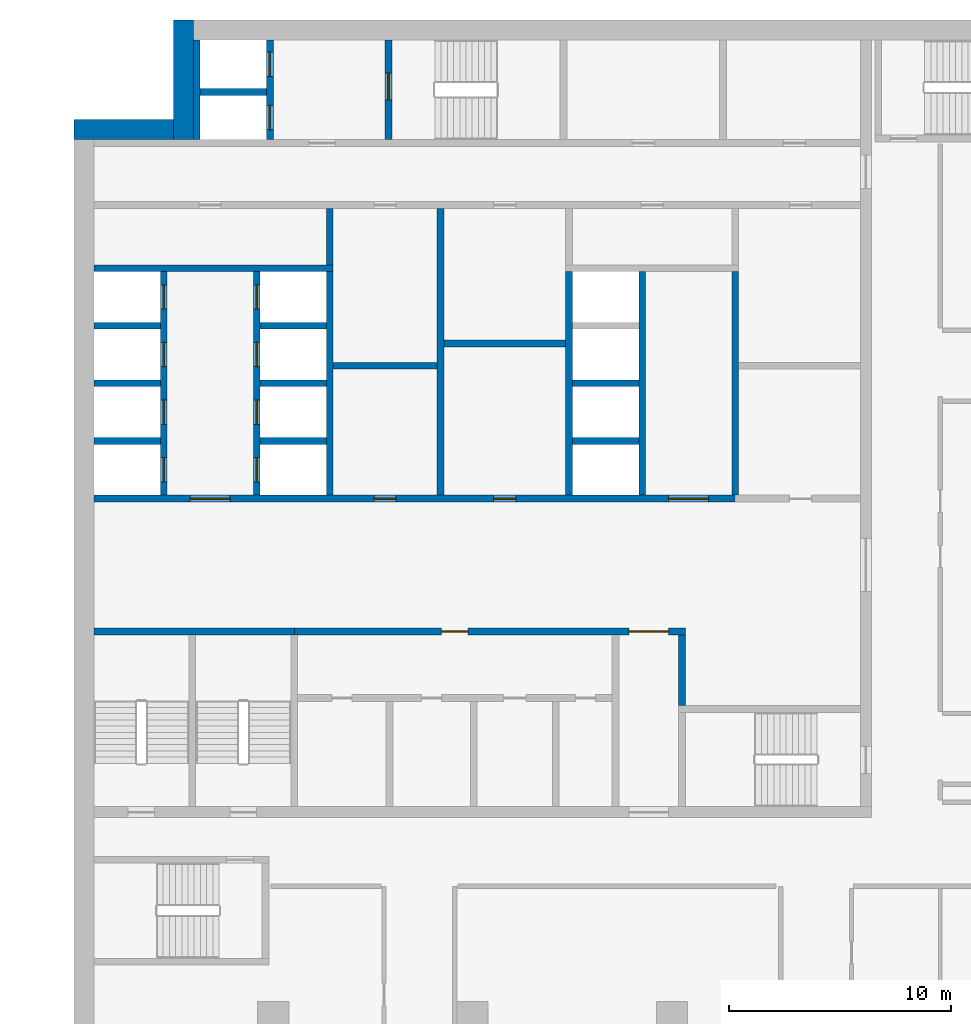
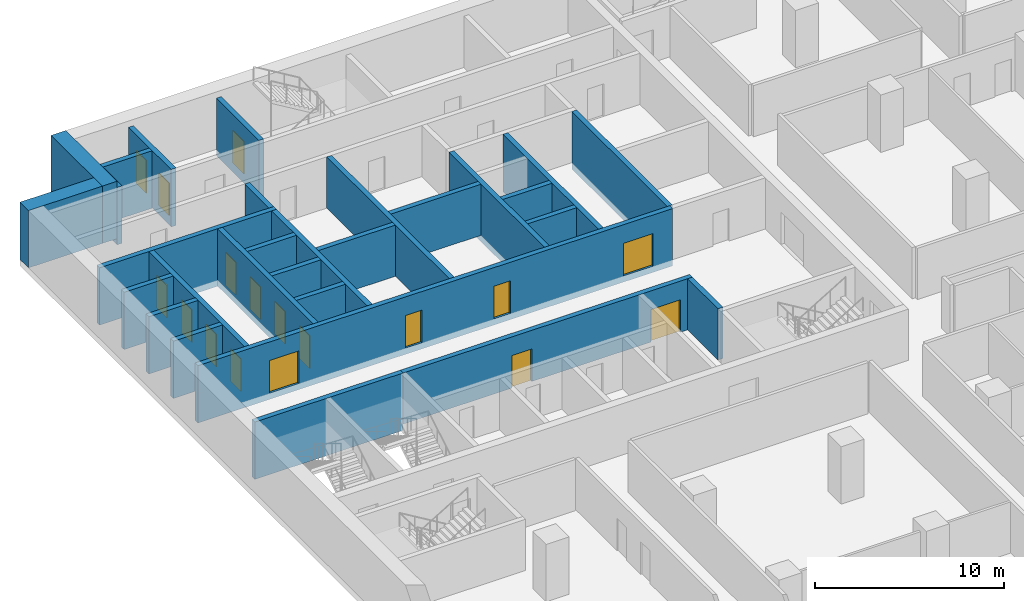
# One storey, part 14 of 28: 29 walls, 17 doors, 17 openings.
"""IFC4 building model written with IfcOpenShell, lengths in metres."""

from ifc_helpers import new_model, si_unit, direction, frame, frame_2d, origin, place, context, subcontext, project, spatial, rectangle, extrude, material, layer, layer_set, type_object, element, fill, save


model = new_model("IFC4")

# Units and contexts
model_context = context("Model", 3, precision=1e-05, world=origin(), true_north=direction((0.0, 1.0)))
body_context = subcontext(model_context, "Body", "Model", "MODEL_VIEW")
ifc_project = project(units=[si_unit("LENGTHUNIT", "METRE"), si_unit("AREAUNIT", "SQUARE_METRE"), si_unit("VOLUMEUNIT", "CUBIC_METRE"), si_unit("PLANEANGLEUNIT", "RADIAN"), si_unit("MASSUNIT", "GRAM", prefix="KILO")], contexts=[model_context])

# Site, building, storey
site_placement = place(None, origin())
site = spatial("IfcSite", under=ifc_project, at=site_placement, CompositionType="ELEMENT")
building_placement = place(site_placement, origin())
building = spatial("IfcBuilding", under=site, at=building_placement, Name="Hunhe Ridgeline Campus", CompositionType="ELEMENT")
storey_placement = place(building_placement, frame((0.0, 0.0, 35.800048828125)))
storey = spatial("IfcBuildingStorey", under=building, at=storey_placement, Name="L07", CompositionType="ELEMENT", Elevation=35.800048828125)

# Wall, openings, doors
ifc_material_1 = material(Name="Masonry concrete blockwork", Category="masonry")
ifc_layer_1 = layer(ifc_material_1, 0.300048828125)
ifc_layer_set_1 = layer_set([ifc_layer_1], Name="Core room partition 300 concrete block")
wall_type_1 = type_object("IfcWallType", Name="Core room partition 300 concrete block", PredefinedType="PARTITIONING", material=ifc_layer_set_1)
wall_1_placement = place(storey_placement, frame((9.949951171875, 71.39990234375, 0.0), z_axis=(0.0, 0.0, 1.0), x_axis=(1.0, 0.0, 0.0)))
wall_1 = element("IfcWall", 1, at=wall_1_placement, inside=storey, type_object=wall_type_1, Name="L07 core partition 13", PredefinedType="PARTITIONING", context=body_context, shape_type="SweptSolid", body=[
    extrude(rectangle(XDim=17.650146484375, YDim=0.300048828125, at=frame_2d((8.8251953125, 0.0))), origin(), (0.0, 0.0, 1.0), 3.300048828125),
])
opening_1_placement = place(wall_1_placement, frame((15.10009765625, 0.0, 0.0)))
opening_1 = element("IfcOpeningElement", 2, at=opening_1_placement, cuts=wall_1, Name="Opening CD7", PredefinedType="OPENING", context=body_context, shape_type="SweptSolid", body=[
    extrude(rectangle(XDim=1.800048828125, YDim=2.10009765625, at=frame_2d((0.89990234375, 1.050048828125))), frame((0.0, 0.14990234375, 0.0), z_axis=(0.0, -1.0, 0.0), x_axis=(1.0, 0.0, 0.0)), (0.0, 0.0, 1.0), 0.300048828125),
])
opening_2_placement = place(wall_1_placement, frame((6.64990234375, 0.0, 0.0)))
opening_2 = element("IfcOpeningElement", 3, at=opening_2_placement, cuts=wall_1, Name="Opening CD37", PredefinedType="OPENING", context=body_context, shape_type="SweptSolid", body=[
    extrude(rectangle(XDim=1.199951171875, YDim=2.10009765625, at=frame_2d((0.60009765625, 1.050048828125))), frame((0.0, 0.14990234375, 0.0), z_axis=(0.0, -1.0, 0.0), x_axis=(1.0, 0.0, 0.0)), (0.0, 0.0, 1.0), 0.300048828125),
])
ifc_material_2 = material(Name="Anodised aluminium and glass", Category="aluminium")
door_type_1 = type_object("IfcDoorType", Name="Glazed double door 1800x2100", OperationType="DOUBLE_DOOR_SINGLE_SWING", PredefinedType="DOOR", material=ifc_material_2)
door_1_placement = place(opening_1_placement, origin())
door_1 = element("IfcDoor", 4, at=door_1_placement, inside=storey, type_object=door_type_1, Name="L07 door VEST-HALL", OperationType="DOUBLE_DOOR_SINGLE_SWING", OverallHeight=2.10009765625, OverallWidth=1.800048828125, PredefinedType="DOOR", context=body_context, shape_type="SweptSolid", body=[
    extrude(rectangle(XDim=1.800048828125, YDim=2.10009765625, at=frame_2d((0.89990234375, 1.050048828125))), frame((0.0, 0.02490234375, 0.0), z_axis=(0.0, -1.0, 0.0), x_axis=(1.0, 0.0, 0.0)), (0.0, 0.0, 1.0), 0.050048828125),
])
fill(opening_1, door_1)
ifc_material_3 = material(Name="Solid core timber door leaf", Category="wood")
door_type_2 = type_object("IfcDoorType", Name="Timber door 1200x2100", OperationType="SINGLE_SWING_LEFT", PredefinedType="DOOR", material=ifc_material_3)
door_2_placement = place(opening_2_placement, origin())
door_2 = element("IfcDoor", 5, at=door_2_placement, inside=storey, type_object=door_type_2, Name="L07 door WCL1-HALL", OperationType="SINGLE_SWING_LEFT", OverallHeight=2.10009765625, OverallWidth=1.199951171875, PredefinedType="DOOR", context=body_context, shape_type="SweptSolid", body=[
    extrude(rectangle(XDim=1.199951171875, YDim=2.10009765625, at=frame_2d((0.60009765625, 1.050048828125))), frame((0.0, 0.02490234375, 0.0), z_axis=(0.0, -1.0, 0.0), x_axis=(1.0, 0.0, 0.0)), (0.0, 0.0, 1.0), 0.050048828125),
])
fill(opening_2, door_2)

# Walls
wall_2_placement = place(storey_placement, frame((11.699951171875, 83.39990234375, 0.0), z_axis=(0.0, 0.0, 1.0), x_axis=(1.0, 0.0, 0.0)))
element("IfcWall", 6, at=wall_2_placement, inside=storey, type_object=wall_type_1, Name="L07 core partition 22", PredefinedType="PARTITIONING", context=body_context, shape_type="SweptSolid", body=[
    extrude(rectangle(XDim=4.699951171875, YDim=0.300048828125, at=frame_2d((2.35009765625, 0.0))), origin(), (0.0, 0.0, 1.0), 3.300048828125),
])
wall_3_placement = place(storey_placement, frame((16.699951171875, 84.39990234375, 0.0), z_axis=(0.0, 0.0, 1.0), x_axis=(1.0, 0.0, 0.0)))
element("IfcWall", 7, at=wall_3_placement, inside=storey, type_object=wall_type_1, Name="L07 core partition 24", PredefinedType="PARTITIONING", context=body_context, shape_type="SweptSolid", body=[
    extrude(rectangle(XDim=5.5, YDim=0.300048828125, at=frame_2d((2.75, 0.0))), origin(), (0.0, 0.0, 1.0), 3.300048828125),
])
wall_4_placement = place(storey_placement, frame((11.550048828125, 87.949951171875, 0.0), z_axis=(0.0, 0.0, 1.0), x_axis=(0.0, 1.0, 0.0)))
element("IfcWall", 8, at=wall_4_placement, inside=storey, type_object=wall_type_1, Name="L07 core partition 46", PredefinedType="PARTITIONING", context=body_context, shape_type="SweptSolid", body=[
    extrude(rectangle(XDim=2.550048828125, YDim=0.300048828125, at=frame_2d((1.27490234375, 0.0))), origin(), (0.0, 0.0, 1.0), 3.300048828125),
])
wall_5_placement = place(storey_placement, frame((16.550048828125, 77.550048828125, 0.0), z_axis=(0.0, 0.0, 1.0), x_axis=(0.0, 1.0, 0.0)))
element("IfcWall", 9, at=wall_5_placement, inside=storey, type_object=wall_type_1, Name="L07 core partition 49", PredefinedType="PARTITIONING", context=body_context, shape_type="SweptSolid", body=[
    extrude(rectangle(XDim=12.949951171875, YDim=0.300048828125, at=frame_2d((6.47509765625, 0.0))), origin(), (0.0, 0.0, 1.0), 3.300048828125),
])
wall_6_placement = place(storey_placement, frame((27.449951171875, 68.050048828125, 0.0), z_axis=(0.0, 0.0, 1.0), x_axis=(0.0, 1.0, 0.0)))
element("IfcWall", 10, at=wall_6_placement, inside=storey, type_object=wall_type_1, Name="L07 core partition 60", PredefinedType="PARTITIONING", context=body_context, shape_type="SweptSolid", body=[
    extrude(rectangle(XDim=3.199951171875, YDim=0.300048828125, at=frame_2d((1.60009765625, 0.0))), origin(), (0.0, 0.0, 1.0), 3.300048828125),
])
ifc_material_4 = material(Name="Concrete C80", Category="concrete")
ifc_layer_2 = layer(ifc_material_4, 0.300048828125)
ifc_layer_set_2 = layer_set([ifc_layer_2], Name="Lobby wall 300 reinforced concrete C80")
wall_type_2 = type_object("IfcWallType", Name="Lobby wall 300 reinforced concrete C80", PredefinedType="SOLIDWALL", material=ifc_layer_set_2)
wall_7_placement = place(storey_placement, frame((29.85009765625, 77.550048828125, -0.400146484375), z_axis=(0.0, 0.0, 1.0), x_axis=(0.0, 1.0, 0.0)))
element("IfcWall", 11, at=wall_7_placement, inside=storey, type_object=wall_type_2, Name="L07 core wall 62", PredefinedType="SOLIDWALL", context=body_context, shape_type="SweptSolid", body=[
    extrude(rectangle(XDim=10.099853515625, YDim=0.300048828125, at=frame_2d((5.0498046875, 0.0))), origin(), (0.0, 0.0, 1.0), 3.7001953125),
])

# Wall, openings, doors
ifc_layer_3 = layer(ifc_material_4, 0.300048828125)
ifc_layer_set_3 = layer_set([ifc_layer_3], Name="Shaft wall 300 reinforced concrete C80")
wall_type_3 = type_object("IfcWallType", Name="Shaft wall 300 reinforced concrete C80", PredefinedType="SOLIDWALL", material=ifc_layer_set_3)
wall_8_placement = place(storey_placement, frame((0.89990234375, 77.39990234375, -0.400146484375), z_axis=(0.0, 0.0, 1.0), x_axis=(1.0, 0.0, 0.0)))
wall_8 = element("IfcWall", 12, at=wall_8_placement, inside=storey, type_object=wall_type_3, Name="L07 core wall 14", PredefinedType="SOLIDWALL", context=body_context, shape_type="SweptSolid", body=[
    extrude(rectangle(XDim=28.9501953125, YDim=0.300048828125, at=frame_2d((14.47509765625, 0.0))), origin(), (0.0, 0.0, 1.0), 3.7001953125),
])
opening_3_placement = place(wall_8_placement, frame((4.35009765625, 0.0, 0.39990234375)))
opening_3 = element("IfcOpeningElement", 13, at=opening_3_placement, cuts=wall_8, Name="Opening CD1", PredefinedType="OPENING", context=body_context, shape_type="SweptSolid", body=[
    extrude(rectangle(XDim=1.800048828125, YDim=2.10009765625, at=frame_2d((0.89990234375, 1.050048828125))), frame((0.0, 0.14990234375, 0.0), z_axis=(0.0, -1.0, 0.0), x_axis=(1.0, 0.0, 0.0)), (0.0, 0.0, 1.0), 0.300048828125),
])
opening_4_placement = place(wall_8_placement, frame((25.949951171875, 0.0, 0.39990234375)))
opening_4 = element("IfcOpeningElement", 14, at=opening_4_placement, cuts=wall_8, Name="Opening CD2", PredefinedType="OPENING", context=body_context, shape_type="SweptSolid", body=[
    extrude(rectangle(XDim=1.800048828125, YDim=2.10009765625, at=frame_2d((0.89990234375, 1.050048828125))), frame((0.0, 0.14990234375, 0.0), z_axis=(0.0, -1.0, 0.0), x_axis=(1.0, 0.0, 0.0)), (0.0, 0.0, 1.0), 0.300048828125),
])
opening_5_placement = place(wall_8_placement, frame((12.64990234375, 0.0, 0.39990234375)))
opening_5 = element("IfcOpeningElement", 15, at=opening_5_placement, cuts=wall_8, Name="Opening CD28", PredefinedType="OPENING", context=body_context, shape_type="SweptSolid", body=[
    extrude(rectangle(XDim=1.0, YDim=2.10009765625, at=frame_2d((0.5, 1.050048828125))), frame((0.0, 0.14990234375, 0.0), z_axis=(0.0, -1.0, 0.0), x_axis=(1.0, 0.0, 0.0)), (0.0, 0.0, 1.0), 0.300048828125),
])
opening_6_placement = place(wall_8_placement, frame((18.050048828125, 0.0, 0.39990234375)))
opening_6 = element("IfcOpeningElement", 16, at=opening_6_placement, cuts=wall_8, Name="Opening CD30", PredefinedType="OPENING", context=body_context, shape_type="SweptSolid", body=[
    extrude(rectangle(XDim=1.0, YDim=2.10009765625, at=frame_2d((0.5, 1.050048828125))), frame((0.0, 0.14990234375, 0.0), z_axis=(0.0, -1.0, 0.0), x_axis=(1.0, 0.0, 0.0)), (0.0, 0.0, 1.0), 0.300048828125),
])
ifc_material_5 = material(Name="Hollow metal fire door leaf")
door_type_3 = type_object("IfcDoorType", Name="Lobby door 1800x2100 FD60", OperationType="SINGLE_SWING_LEFT", PredefinedType="DOOR", material=ifc_material_5)
door_3_placement = place(opening_3_placement, frame((1.800048828125, 0.0, 0.0), z_axis=(0.0, 0.0, 1.0), x_axis=(-1.0, 0.0, 0.0)))
door_3 = element("IfcDoor", 17, at=door_3_placement, inside=storey, type_object=door_type_3, Name="L07 door LOB-LR", OperationType="SINGLE_SWING_RIGHT", OverallHeight=2.10009765625, OverallWidth=1.800048828125, PredefinedType="DOOR", context=body_context, shape_type="SweptSolid", body=[
    extrude(rectangle(XDim=1.800048828125, YDim=2.10009765625, at=frame_2d((0.89990234375, 1.050048828125))), frame((0.0, 0.02490234375, 0.0), z_axis=(0.0, -1.0, 0.0), x_axis=(1.0, 0.0, 0.0)), (0.0, 0.0, 1.0), 0.050048828125),
])
fill(opening_3, door_3)
door_4_placement = place(opening_4_placement, frame((1.800048828125, 0.0, 0.0), z_axis=(0.0, 0.0, 1.0), x_axis=(-1.0, 0.0, 0.0)))
door_4 = element("IfcDoor", 18, at=door_4_placement, inside=storey, type_object=door_type_3, Name="L07 door LOB-SH", OperationType="SINGLE_SWING_LEFT", OverallHeight=2.10009765625, OverallWidth=1.800048828125, PredefinedType="DOOR", context=body_context, shape_type="SweptSolid", body=[
    extrude(rectangle(XDim=1.800048828125, YDim=2.10009765625, at=frame_2d((0.89990234375, 1.050048828125))), frame((0.0, 0.02490234375, 0.0), z_axis=(0.0, -1.0, 0.0), x_axis=(1.0, 0.0, 0.0)), (0.0, 0.0, 1.0), 0.050048828125),
])
fill(opening_4, door_4)
door_type_4 = type_object("IfcDoorType", Name="Timber door 1000x2100", OperationType="SINGLE_SWING_LEFT", PredefinedType="DOOR", material=ifc_material_3)
door_5_placement = place(opening_5_placement, origin())
door_5 = element("IfcDoor", 19, at=door_5_placement, inside=storey, type_object=door_type_4, Name="L07 door VD-HR0", OperationType="SINGLE_SWING_LEFT", OverallHeight=2.10009765625, OverallWidth=1.0, PredefinedType="DOOR", context=body_context, shape_type="SweptSolid", body=[
    extrude(rectangle(XDim=1.0, YDim=2.10009765625, at=frame_2d((0.5, 1.050048828125))), frame((0.0, 0.02490234375, 0.0), z_axis=(0.0, -1.0, 0.0), x_axis=(1.0, 0.0, 0.0)), (0.0, 0.0, 1.0), 0.050048828125),
])
fill(opening_5, door_5)
door_6_placement = place(opening_6_placement, origin())
door_6 = element("IfcDoor", 20, at=door_6_placement, inside=storey, type_object=door_type_4, Name="L07 door VD-HR2", OperationType="SINGLE_SWING_LEFT", OverallHeight=2.10009765625, OverallWidth=1.0, PredefinedType="DOOR", context=body_context, shape_type="SweptSolid", body=[
    extrude(rectangle(XDim=1.0, YDim=2.10009765625, at=frame_2d((0.5, 1.050048828125))), frame((0.0, 0.02490234375, 0.0), z_axis=(0.0, -1.0, 0.0), x_axis=(1.0, 0.0, 0.0)), (0.0, 0.0, 1.0), 0.050048828125),
])
fill(opening_6, door_6)

# Walls
for number, where, z_axis, x_axis, name in (
    (21, (0.89990234375, 80.0, -0.400146484375), (0.0, 0.0, 1.0), (1.0, 0.0, 0.0), "L07 core wall 16"),
    (22, (8.39990234375, 80.0, -0.400146484375), (0.0, 0.0, 1.0), (1.0, 0.0, 0.0), "L07 core wall 17"),
    (23, (22.5, 80.0, -0.400146484375), (0.0, 0.0, 1.0), (1.0, 0.0, 0.0), "L07 core wall 18"),
    (24, (0.89990234375, 82.60009765625, -0.400146484375), (0.0, 0.0, 1.0), (1.0, 0.0, 0.0), "L07 core wall 19"),
    (25, (8.39990234375, 82.60009765625, -0.400146484375), (0.0, 0.0, 1.0), (1.0, 0.0, 0.0), "L07 core wall 20"),
    (26, (22.5, 82.60009765625, -0.400146484375), (0.0, 0.0, 1.0), (1.0, 0.0, 0.0), "L07 core wall 21"),
    (27, (0.89990234375, 85.199951171875, -0.400146484375), (0.0, 0.0, 1.0), (1.0, 0.0, 0.0), "L07 core wall 25"),
    (28, (8.39990234375, 85.199951171875, -0.400146484375), (0.0, 0.0, 1.0), (1.0, 0.0, 0.0), "L07 core wall 26"),
):
    element("IfcWall", number, at=place(storey_placement, frame(where, z_axis=z_axis, x_axis=x_axis)), inside=storey, type_object=wall_type_3, Name=name, PredefinedType="SOLIDWALL", context=body_context, shape_type="SweptSolid", body=[
        extrude(rectangle(XDim=3.0, YDim=0.300048828125, at=frame_2d((1.5, 0.0))), origin(), (0.0, 0.0, 1.0), 3.7001953125),
    ])
wall_9_placement = place(storey_placement, frame((0.89990234375, 87.800048828125, -0.400146484375), z_axis=(0.0, 0.0, 1.0), x_axis=(1.0, 0.0, 0.0)))
element("IfcWall", 29, at=wall_9_placement, inside=storey, type_object=wall_type_3, Name="L07 core wall 28", PredefinedType="SOLIDWALL", context=body_context, shape_type="SweptSolid", body=[
    extrude(rectangle(XDim=10.800048828125, YDim=0.300048828125, at=frame_2d((5.39990234375, 0.0))), origin(), (0.0, 0.0, 1.0), 3.7001953125),
])
wall_10_placement = place(storey_placement, frame((5.699951171875, 95.75, -0.400146484375), z_axis=(0.0, 0.0, 1.0), x_axis=(1.0, 0.0, 0.0)))
element("IfcWall", 30, at=wall_10_placement, inside=storey, type_object=wall_type_3, Name="L07 core wall 36", PredefinedType="SOLIDWALL", context=body_context, shape_type="SweptSolid", body=[
    extrude(rectangle(XDim=3.0, YDim=0.300048828125, at=frame_2d((1.5, 0.0))), origin(), (0.0, 0.0, 1.0), 3.7001953125),
])

# Wall, openings, doors
wall_11_placement = place(storey_placement, frame((4.050048828125, 77.550048828125, -0.400146484375), z_axis=(0.0, 0.0, 1.0), x_axis=(0.0, 1.0, 0.0)))
wall_11 = element("IfcWall", 31, at=wall_11_placement, inside=storey, type_object=wall_type_3, Name="L07 core wall 37", PredefinedType="SOLIDWALL", context=body_context, shape_type="SweptSolid", body=[
    extrude(rectangle(XDim=10.099853515625, YDim=0.300048828125, at=frame_2d((5.0498046875, 0.0))), origin(), (0.0, 0.0, 1.0), 3.7001953125),
])
opening_7_placement = place(wall_11_placement, frame((0.60009765625, 0.0, 0.39990234375)))
opening_7 = element("IfcOpeningElement", 32, at=opening_7_placement, cuts=wall_11, Name="Opening LD-LR1", PredefinedType="OPENING", context=body_context, shape_type="SweptSolid", body=[
    extrude(rectangle(XDim=1.10009765625, YDim=2.10009765625, at=frame_2d((0.550048828125, 1.050048828125))), frame((0.0, 0.14990234375, 0.0), z_axis=(0.0, -1.0, 0.0), x_axis=(1.0, 0.0, 0.0)), (0.0, 0.0, 1.0), 0.300048828125),
])
opening_8_placement = place(wall_11_placement, frame((3.199951171875, 0.0, 0.39990234375)))
opening_8 = element("IfcOpeningElement", 33, at=opening_8_placement, cuts=wall_11, Name="Opening LD-LR2", PredefinedType="OPENING", context=body_context, shape_type="SweptSolid", body=[
    extrude(rectangle(XDim=1.10009765625, YDim=2.10009765625, at=frame_2d((0.550048828125, 1.050048828125))), frame((0.0, 0.14990234375, 0.0), z_axis=(0.0, -1.0, 0.0), x_axis=(1.0, 0.0, 0.0)), (0.0, 0.0, 1.0), 0.300048828125),
])
opening_9_placement = place(wall_11_placement, frame((5.800048828125, 0.0, 0.39990234375)))
opening_9 = element("IfcOpeningElement", 34, at=opening_9_placement, cuts=wall_11, Name="Opening LD-LR3", PredefinedType="OPENING", context=body_context, shape_type="SweptSolid", body=[
    extrude(rectangle(XDim=1.10009765625, YDim=2.10009765625, at=frame_2d((0.550048828125, 1.050048828125))), frame((0.0, 0.14990234375, 0.0), z_axis=(0.0, -1.0, 0.0), x_axis=(1.0, 0.0, 0.0)), (0.0, 0.0, 1.0), 0.300048828125),
])
opening_10_placement = place(wall_11_placement, frame((8.39990234375, 0.0, 0.39990234375)))
opening_10 = element("IfcOpeningElement", 35, at=opening_10_placement, cuts=wall_11, Name="Opening LD-LR4", PredefinedType="OPENING", context=body_context, shape_type="SweptSolid", body=[
    extrude(rectangle(XDim=1.10009765625, YDim=2.10009765625, at=frame_2d((0.550048828125, 1.050048828125))), frame((0.0, 0.14990234375, 0.0), z_axis=(0.0, -1.0, 0.0), x_axis=(1.0, 0.0, 0.0)), (0.0, 0.0, 1.0), 0.300048828125),
])
ifc_material_6 = material(Name="Stainless steel sliding leaves", Category="steel")
door_type_5 = type_object("IfcDoorType", Name="Landing door 1100x2100 FD120", OperationType="SLIDING_TO_LEFT", PredefinedType="DOOR", material=ifc_material_6)
door_7_placement = place(opening_7_placement, origin())
door_7 = element("IfcDoor", 36, at=door_7_placement, inside=storey, type_object=door_type_5, Name="L07 landing door LR1", OperationType="SLIDING_TO_RIGHT", OverallHeight=2.10009765625, OverallWidth=1.10009765625, PredefinedType="DOOR", context=body_context, shape_type="SweptSolid", body=[
    extrude(rectangle(XDim=1.10009765625, YDim=2.10009765625, at=frame_2d((0.550048828125, 1.050048828125))), frame((0.0, 0.02490234375, 0.0), z_axis=(0.0, -1.0, 0.0), x_axis=(1.0, 0.0, 0.0)), (0.0, 0.0, 1.0), 0.050048828125),
])
fill(opening_7, door_7)
door_8_placement = place(opening_8_placement, origin())
door_8 = element("IfcDoor", 37, at=door_8_placement, inside=storey, type_object=door_type_5, Name="L07 landing door LR2", OperationType="SLIDING_TO_LEFT", OverallHeight=2.10009765625, OverallWidth=1.10009765625, PredefinedType="DOOR", context=body_context, shape_type="SweptSolid", body=[
    extrude(rectangle(XDim=1.10009765625, YDim=2.10009765625, at=frame_2d((0.550048828125, 1.050048828125))), frame((0.0, 0.02490234375, 0.0), z_axis=(0.0, -1.0, 0.0), x_axis=(1.0, 0.0, 0.0)), (0.0, 0.0, 1.0), 0.050048828125),
])
fill(opening_8, door_8)
door_9_placement = place(opening_9_placement, origin())
door_9 = element("IfcDoor", 38, at=door_9_placement, inside=storey, type_object=door_type_5, Name="L07 landing door LR3", OperationType="SLIDING_TO_RIGHT", OverallHeight=2.10009765625, OverallWidth=1.10009765625, PredefinedType="DOOR", context=body_context, shape_type="SweptSolid", body=[
    extrude(rectangle(XDim=1.10009765625, YDim=2.10009765625, at=frame_2d((0.550048828125, 1.050048828125))), frame((0.0, 0.02490234375, 0.0), z_axis=(0.0, -1.0, 0.0), x_axis=(1.0, 0.0, 0.0)), (0.0, 0.0, 1.0), 0.050048828125),
])
fill(opening_9, door_9)
door_10_placement = place(opening_10_placement, origin())
door_10 = element("IfcDoor", 39, at=door_10_placement, inside=storey, type_object=door_type_5, Name="L07 landing door LR4", OperationType="SLIDING_TO_LEFT", OverallHeight=2.10009765625, OverallWidth=1.10009765625, PredefinedType="DOOR", context=body_context, shape_type="SweptSolid", body=[
    extrude(rectangle(XDim=1.10009765625, YDim=2.10009765625, at=frame_2d((0.550048828125, 1.050048828125))), frame((0.0, 0.02490234375, 0.0), z_axis=(0.0, -1.0, 0.0), x_axis=(1.0, 0.0, 0.0)), (0.0, 0.0, 1.0), 0.050048828125),
])
fill(opening_10, door_10)

# Wall
wall_12_placement = place(storey_placement, frame((5.550048828125, 93.60009765625, -0.400146484375), z_axis=(0.0, 0.0, 1.0), x_axis=(0.0, 1.0, 0.0)))
element("IfcWall", 40, at=wall_12_placement, inside=storey, type_object=wall_type_3, Name="L07 core wall 39", PredefinedType="SOLIDWALL", context=body_context, shape_type="SweptSolid", body=[
    extrude(rectangle(XDim=4.5, YDim=0.300048828125, at=frame_2d((2.25, 0.0))), origin(), (0.0, 0.0, 1.0), 3.7001953125),
])

# Wall, openings, doors
wall_13_placement = place(storey_placement, frame((8.25, 77.550048828125, -0.400146484375), z_axis=(0.0, 0.0, 1.0), x_axis=(0.0, 1.0, 0.0)))
wall_13 = element("IfcWall", 41, at=wall_13_placement, inside=storey, type_object=wall_type_3, Name="L07 core wall 40", PredefinedType="SOLIDWALL", context=body_context, shape_type="SweptSolid", body=[
    extrude(rectangle(XDim=10.099853515625, YDim=0.300048828125, at=frame_2d((5.0498046875, 0.0))), origin(), (0.0, 0.0, 1.0), 3.7001953125),
])
opening_11_placement = place(wall_13_placement, frame((0.60009765625, 0.0, 0.39990234375)))
opening_11 = element("IfcOpeningElement", 42, at=opening_11_placement, cuts=wall_13, Name="Opening LD-LR5", PredefinedType="OPENING", context=body_context, shape_type="SweptSolid", body=[
    extrude(rectangle(XDim=1.10009765625, YDim=2.10009765625, at=frame_2d((0.550048828125, 1.050048828125))), frame((0.0, 0.14990234375, 0.0), z_axis=(0.0, -1.0, 0.0), x_axis=(1.0, 0.0, 0.0)), (0.0, 0.0, 1.0), 0.300048828125),
])
opening_12_placement = place(wall_13_placement, frame((3.199951171875, 0.0, 0.39990234375)))
opening_12 = element("IfcOpeningElement", 43, at=opening_12_placement, cuts=wall_13, Name="Opening LD-LR6", PredefinedType="OPENING", context=body_context, shape_type="SweptSolid", body=[
    extrude(rectangle(XDim=1.10009765625, YDim=2.10009765625, at=frame_2d((0.550048828125, 1.050048828125))), frame((0.0, 0.14990234375, 0.0), z_axis=(0.0, -1.0, 0.0), x_axis=(1.0, 0.0, 0.0)), (0.0, 0.0, 1.0), 0.300048828125),
])
opening_13_placement = place(wall_13_placement, frame((5.800048828125, 0.0, 0.39990234375)))
opening_13 = element("IfcOpeningElement", 44, at=opening_13_placement, cuts=wall_13, Name="Opening LD-LR7", PredefinedType="OPENING", context=body_context, shape_type="SweptSolid", body=[
    extrude(rectangle(XDim=1.10009765625, YDim=2.10009765625, at=frame_2d((0.550048828125, 1.050048828125))), frame((0.0, 0.14990234375, 0.0), z_axis=(0.0, -1.0, 0.0), x_axis=(1.0, 0.0, 0.0)), (0.0, 0.0, 1.0), 0.300048828125),
])
opening_14_placement = place(wall_13_placement, frame((8.39990234375, 0.0, 0.39990234375)))
opening_14 = element("IfcOpeningElement", 45, at=opening_14_placement, cuts=wall_13, Name="Opening LD-LR8", PredefinedType="OPENING", context=body_context, shape_type="SweptSolid", body=[
    extrude(rectangle(XDim=1.10009765625, YDim=2.10009765625, at=frame_2d((0.550048828125, 1.050048828125))), frame((0.0, 0.14990234375, 0.0), z_axis=(0.0, -1.0, 0.0), x_axis=(1.0, 0.0, 0.0)), (0.0, 0.0, 1.0), 0.300048828125),
])
door_11_placement = place(opening_11_placement, origin())
door_11 = element("IfcDoor", 46, at=door_11_placement, inside=storey, type_object=door_type_5, Name="L07 landing door LR5", OperationType="SLIDING_TO_RIGHT", OverallHeight=2.10009765625, OverallWidth=1.10009765625, PredefinedType="DOOR", context=body_context, shape_type="SweptSolid", body=[
    extrude(rectangle(XDim=1.10009765625, YDim=2.10009765625, at=frame_2d((0.550048828125, 1.050048828125))), frame((0.0, 0.02490234375, 0.0), z_axis=(0.0, -1.0, 0.0), x_axis=(1.0, 0.0, 0.0)), (0.0, 0.0, 1.0), 0.050048828125),
])
fill(opening_11, door_11)
door_12_placement = place(opening_12_placement, origin())
door_12 = element("IfcDoor", 47, at=door_12_placement, inside=storey, type_object=door_type_5, Name="L07 landing door LR6", OperationType="SLIDING_TO_LEFT", OverallHeight=2.10009765625, OverallWidth=1.10009765625, PredefinedType="DOOR", context=body_context, shape_type="SweptSolid", body=[
    extrude(rectangle(XDim=1.10009765625, YDim=2.10009765625, at=frame_2d((0.550048828125, 1.050048828125))), frame((0.0, 0.02490234375, 0.0), z_axis=(0.0, -1.0, 0.0), x_axis=(1.0, 0.0, 0.0)), (0.0, 0.0, 1.0), 0.050048828125),
])
fill(opening_12, door_12)
door_13_placement = place(opening_13_placement, origin())
door_13 = element("IfcDoor", 48, at=door_13_placement, inside=storey, type_object=door_type_5, Name="L07 landing door LR7", OperationType="SLIDING_TO_RIGHT", OverallHeight=2.10009765625, OverallWidth=1.10009765625, PredefinedType="DOOR", context=body_context, shape_type="SweptSolid", body=[
    extrude(rectangle(XDim=1.10009765625, YDim=2.10009765625, at=frame_2d((0.550048828125, 1.050048828125))), frame((0.0, 0.02490234375, 0.0), z_axis=(0.0, -1.0, 0.0), x_axis=(1.0, 0.0, 0.0)), (0.0, 0.0, 1.0), 0.050048828125),
])
fill(opening_13, door_13)
door_14_placement = place(opening_14_placement, origin())
door_14 = element("IfcDoor", 49, at=door_14_placement, inside=storey, type_object=door_type_5, Name="L07 landing door LR8", OperationType="SLIDING_TO_LEFT", OverallHeight=2.10009765625, OverallWidth=1.10009765625, PredefinedType="DOOR", context=body_context, shape_type="SweptSolid", body=[
    extrude(rectangle(XDim=1.10009765625, YDim=2.10009765625, at=frame_2d((0.550048828125, 1.050048828125))), frame((0.0, 0.02490234375, 0.0), z_axis=(0.0, -1.0, 0.0), x_axis=(1.0, 0.0, 0.0)), (0.0, 0.0, 1.0), 0.050048828125),
])
fill(opening_14, door_14)

wall_14_placement = place(storey_placement, frame((8.85009765625, 93.60009765625, -0.400146484375), z_axis=(0.0, 0.0, 1.0), x_axis=(0.0, 1.0, 0.0)))
wall_14 = element("IfcWall", 50, at=wall_14_placement, inside=storey, type_object=wall_type_3, Name="L07 core wall 43", PredefinedType="SOLIDWALL", context=body_context, shape_type="SweptSolid", body=[
    extrude(rectangle(XDim=4.5, YDim=0.300048828125, at=frame_2d((2.25, 0.0))), origin(), (0.0, 0.0, 1.0), 3.7001953125),
])
opening_15_placement = place(wall_14_placement, frame((0.449951171875, 0.0, 0.39990234375)))
opening_15 = element("IfcOpeningElement", 51, at=opening_15_placement, cuts=wall_14, Name="Opening LD-FF1", PredefinedType="OPENING", context=body_context, shape_type="SweptSolid", body=[
    extrude(rectangle(XDim=1.10009765625, YDim=2.10009765625, at=frame_2d((0.550048828125, 1.050048828125))), frame((0.0, 0.14990234375, 0.0), z_axis=(0.0, -1.0, 0.0), x_axis=(1.0, 0.0, 0.0)), (0.0, 0.0, 1.0), 0.300048828125),
])
opening_16_placement = place(wall_14_placement, frame((2.85009765625, 0.0, 0.39990234375)))
opening_16 = element("IfcOpeningElement", 52, at=opening_16_placement, cuts=wall_14, Name="Opening LD-FF2", PredefinedType="OPENING", context=body_context, shape_type="SweptSolid", body=[
    extrude(rectangle(XDim=1.10009765625, YDim=2.10009765625, at=frame_2d((0.550048828125, 1.050048828125))), frame((0.0, 0.14990234375, 0.0), z_axis=(0.0, -1.0, 0.0), x_axis=(1.0, 0.0, 0.0)), (0.0, 0.0, 1.0), 0.300048828125),
])
door_15_placement = place(opening_15_placement, origin())
door_15 = element("IfcDoor", 53, at=door_15_placement, inside=storey, type_object=door_type_5, Name="L07 landing door FF1", OperationType="SLIDING_TO_RIGHT", OverallHeight=2.10009765625, OverallWidth=1.10009765625, PredefinedType="DOOR", context=body_context, shape_type="SweptSolid", body=[
    extrude(rectangle(XDim=1.10009765625, YDim=2.10009765625, at=frame_2d((0.550048828125, 1.050048828125))), frame((0.0, 0.02490234375, 0.0), z_axis=(0.0, -1.0, 0.0), x_axis=(1.0, 0.0, 0.0)), (0.0, 0.0, 1.0), 0.050048828125),
])
fill(opening_15, door_15)
door_16_placement = place(opening_16_placement, origin())
door_16 = element("IfcDoor", 54, at=door_16_placement, inside=storey, type_object=door_type_5, Name="L07 landing door FF2", OperationType="SLIDING_TO_LEFT", OverallHeight=2.10009765625, OverallWidth=1.10009765625, PredefinedType="DOOR", context=body_context, shape_type="SweptSolid", body=[
    extrude(rectangle(XDim=1.10009765625, YDim=2.10009765625, at=frame_2d((0.550048828125, 1.050048828125))), frame((0.0, 0.02490234375, 0.0), z_axis=(0.0, -1.0, 0.0), x_axis=(1.0, 0.0, 0.0)), (0.0, 0.0, 1.0), 0.050048828125),
])
fill(opening_16, door_16)

# Walls
for number, where, z_axis, x_axis, name in (
    (55, (11.550048828125, 77.550048828125, -0.400146484375), (0.0, 0.0, 1.0), (0.0, 1.0, 0.0), "L07 core wall 45"),
    (56, (22.35009765625, 77.550048828125, -0.400146484375), (0.0, 0.0, 1.0), (0.0, 1.0, 0.0), "L07 core wall 54"),
    (57, (25.64990234375, 77.550048828125, -0.400146484375), (0.0, 0.0, 1.0), (0.0, 1.0, 0.0), "L07 core wall 58"),
):
    element("IfcWall", number, at=place(storey_placement, frame(where, z_axis=z_axis, x_axis=x_axis)), inside=storey, type_object=wall_type_3, Name=name, PredefinedType="SOLIDWALL", context=body_context, shape_type="SweptSolid", body=[
        extrude(rectangle(XDim=10.099853515625, YDim=0.300048828125, at=frame_2d((5.0498046875, 0.0))), origin(), (0.0, 0.0, 1.0), 3.7001953125),
    ])
ifc_layer_4 = layer(ifc_material_4, 0.89990234375)
ifc_layer_set_4 = layer_set([ifc_layer_4], Name="Spine wall 900 Concrete C80")
wall_type_4 = type_object("IfcWallType", Name="Spine wall 900 Concrete C80", PredefinedType="SHEAR", material=ifc_layer_set_4)
for number, where, z_axis, x_axis, name in (
    (58, (4.949951171875, 99.0, 0.0), (0.0, 0.0, 1.0), (0.0, -1.0, 0.0), "Spine wall SW1-5 L07"),
    (59, (5.400146484375, 94.050048828125, 0.0), (0.0, 0.0, 1.0), (-1.0, 0.0, 0.0), "Spine wall SW1-6 L07"),
):
    element("IfcWall", number, at=place(storey_placement, frame(where, z_axis=z_axis, x_axis=x_axis)), inside=storey, type_object=wall_type_4, Name=name, PredefinedType="SHEAR", context=body_context, shape_type="SweptSolid", body=[
        extrude(rectangle(XDim=5.400146484375, YDim=0.89990234375, at=frame_2d((2.7001953125, 0.0))), origin(), (0.0, 0.0, 1.0), 3.699951171875),
    ])
ifc_layer_5 = layer(ifc_material_4, 0.300048828125)
ifc_layer_set_5 = layer_set([ifc_layer_5], Name="Stair wall 300 reinforced concrete C80")
wall_type_5 = type_object("IfcWallType", Name="Stair wall 300 reinforced concrete C80", PredefinedType="SOLIDWALL", material=ifc_layer_set_5)
wall_15_placement = place(storey_placement, frame((0.89990234375, 71.39990234375, -0.400146484375), z_axis=(0.0, 0.0, 1.0), x_axis=(1.0, 0.0, 0.0)))
element("IfcWall", 60, at=wall_15_placement, inside=storey, type_object=wall_type_5, Name="L07 core wall 12", PredefinedType="SOLIDWALL", context=body_context, shape_type="SweptSolid", body=[
    extrude(rectangle(XDim=9.050048828125, YDim=0.300048828125, at=frame_2d((4.52490234375, 0.0))), origin(), (0.0, 0.0, 1.0), 3.7001953125),
])

# Wall, opening, door
wall_16_placement = place(storey_placement, frame((14.199951171875, 93.60009765625, -0.400146484375), z_axis=(0.0, 0.0, 1.0), x_axis=(0.0, 1.0, 0.0)))
wall_16 = element("IfcWall", 61, at=wall_16_placement, inside=storey, type_object=wall_type_5, Name="L07 core wall 47", PredefinedType="SOLIDWALL", context=body_context, shape_type="SweptSolid", body=[
    extrude(rectangle(XDim=4.5, YDim=0.300048828125, at=frame_2d((2.25, 0.0))), origin(), (0.0, 0.0, 1.0), 3.7001953125),
])
opening_17_placement = place(wall_16_placement, frame((1.800048828125, 0.0, 0.39990234375)))
opening_17 = element("IfcOpeningElement", 62, at=opening_17_placement, cuts=wall_16, Name="Opening CD16", PredefinedType="OPENING", context=body_context, shape_type="SweptSolid", body=[
    extrude(rectangle(XDim=1.199951171875, YDim=2.10009765625, at=frame_2d((0.60009765625, 1.050048828125))), frame((0.0, 0.14990234375, 0.0), z_axis=(0.0, -1.0, 0.0), x_axis=(1.0, 0.0, 0.0)), (0.0, 0.0, 1.0), 0.300048828125),
])
door_type_6 = type_object("IfcDoorType", Name="Stair door 1200x2100 FD60", OperationType="SINGLE_SWING_LEFT", PredefinedType="DOOR", material=ifc_material_5)
door_17_placement = place(opening_17_placement, origin())
door_17 = element("IfcDoor", 63, at=door_17_placement, inside=storey, type_object=door_type_6, Name="L07 door S1-FF", OperationType="SINGLE_SWING_LEFT", OverallHeight=2.10009765625, OverallWidth=1.199951171875, PredefinedType="DOOR", context=body_context, shape_type="SweptSolid", body=[
    extrude(rectangle(XDim=1.199951171875, YDim=2.10009765625, at=frame_2d((0.60009765625, 1.050048828125))), frame((0.0, 0.02490234375, 0.0), z_axis=(0.0, -1.0, 0.0), x_axis=(1.0, 0.0, 0.0)), (0.0, 0.0, 1.0), 0.050048828125),
])
fill(opening_17, door_17)

save(model, "model.ifc")
